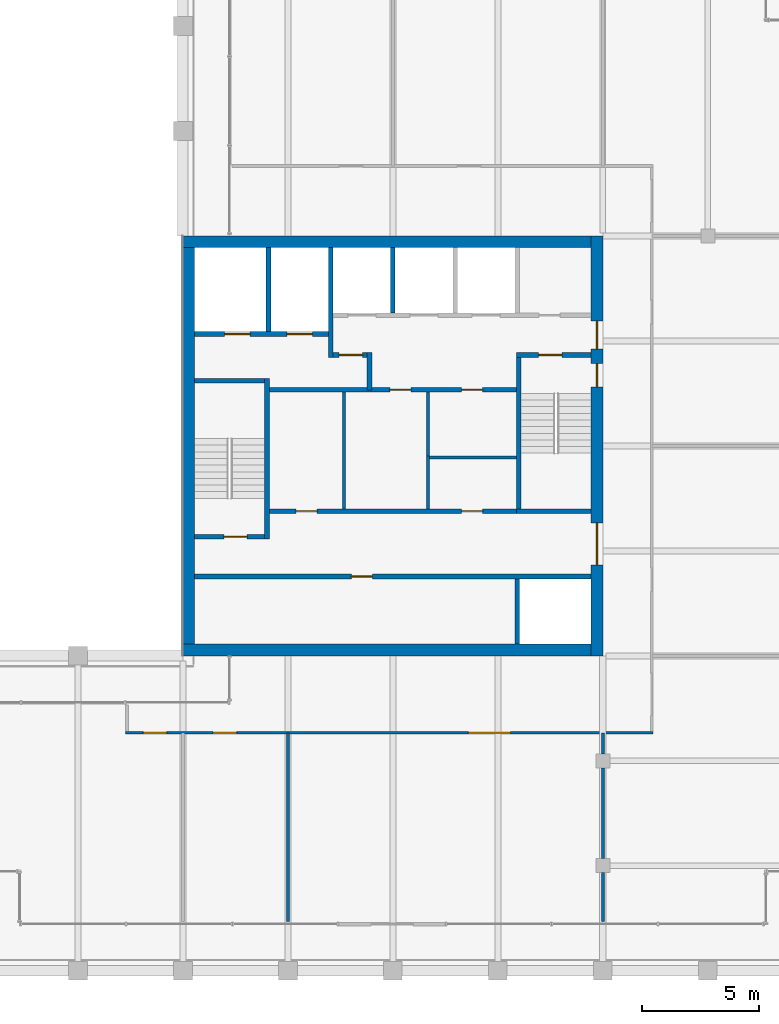
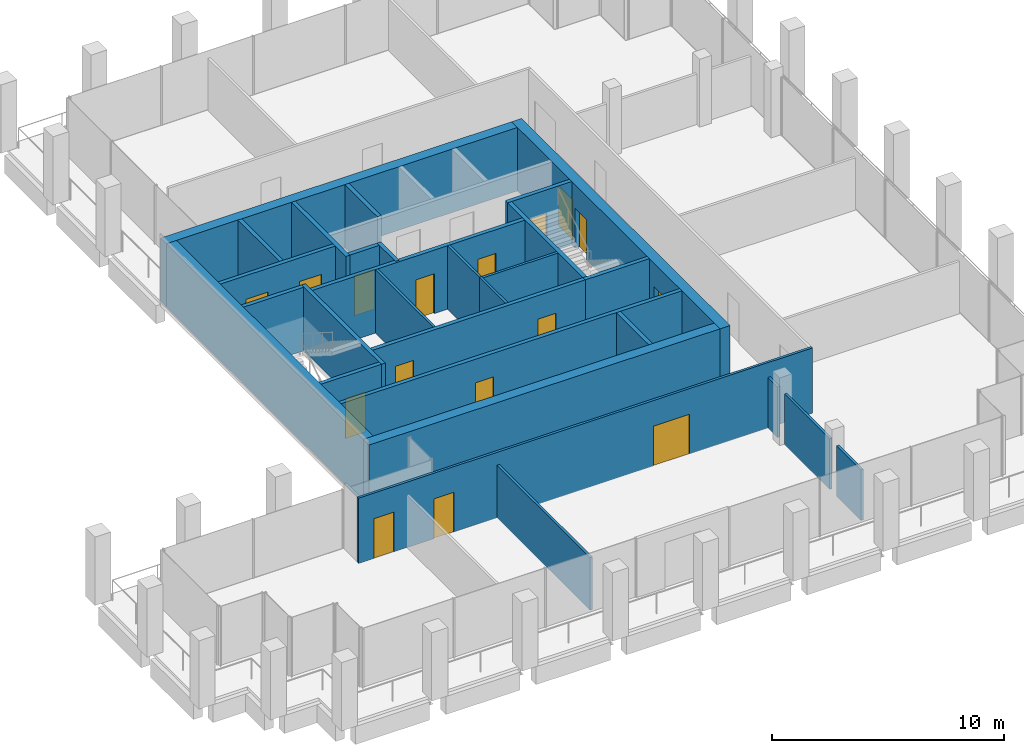
# One storey, part 28 of 30: 29 walls, 16 doors, 16 openings.
"""IFC4 building model written with IfcOpenShell, lengths in metres."""

from ifc_helpers import new_model, si_unit, direction, frame, frame_2d, origin, place, context, subcontext, project, spatial, rectangle, extrude, material, layer, layer_set, type_object, element, fill, save


model = new_model("IFC4")

# Units and contexts
model_context = context("Model", 3, precision=1e-05, world=origin(), true_north=direction((0.0, 1.0)))
body_context = subcontext(model_context, "Body", "Model", "MODEL_VIEW")
ifc_project = project(units=[si_unit("LENGTHUNIT", "METRE"), si_unit("AREAUNIT", "SQUARE_METRE"), si_unit("VOLUMEUNIT", "CUBIC_METRE"), si_unit("PLANEANGLEUNIT", "RADIAN"), si_unit("MASSUNIT", "GRAM", prefix="KILO")], contexts=[model_context])

# Site, building, storey
site_placement = place(None, origin())
site = spatial("IfcSite", under=ifc_project, at=site_placement, CompositionType="ELEMENT")
building_placement = place(site_placement, origin())
building = spatial("IfcBuilding", under=site, at=building_placement, Name="Altepetl Exchange Towers", CompositionType="ELEMENT")
storey_placement = place(building_placement, frame((0.0, 0.0, 231.60009765625)))
storey = spatial("IfcBuildingStorey", under=building, at=storey_placement, Name="L59", CompositionType="ELEMENT", Elevation=231.60009765625)

# Wall, openings, doors
ifc_material_1 = material(Name="Concrete C70/85", Category="concrete")
ifc_layer_1 = layer(ifc_material_1, 0.5)
ifc_layer_set_1 = layer_set([ifc_layer_1], Name="Concrete C70/85")
wall_type_1 = type_object("IfcWallType", Name="Core wall 500 reinforced concrete", PredefinedType="SHEAR", material=ifc_layer_set_1)
wall_1_placement = place(storey_placement, frame((58.25, 40.5, 0.0), z_axis=(0.0, 0.0, 1.0), x_axis=(0.0, 1.0, 0.0)))
wall_1 = element("IfcWall", 1, at=wall_1_placement, inside=storey, type_object=wall_type_1, Name="wall:A:L59:K-coreE", PredefinedType="SHEAR", context=body_context, shape_type="SweptSolid", body=[
    extrude(rectangle(XDim=18.0, YDim=0.5, at=frame_2d((9.0, 0.0))), origin(), (0.0, 0.0, 1.0), 3.349853515625),
])
opening_1_placement = place(wall_1_placement, frame((13.14990234375, 0.0, 0.0)))
opening_1 = element("IfcOpeningElement", 2, at=opening_1_placement, cuts=wall_1, Name="Opening L59.A60", PredefinedType="OPENING", context=body_context, shape_type="SweptSolid", body=[
    extrude(rectangle(XDim=1.199951171875, YDim=2.10009765625, at=frame_2d((0.60009765625, 1.050048828125))), frame((0.0, 0.260009765625, 0.0), z_axis=(0.0, -1.0, 0.0), x_axis=(1.0, 0.0, 0.0)), (0.0, 0.0, 1.0), 0.52001953125),
])
opening_2_placement = place(wall_1_placement, frame((3.89990234375, 0.0, 0.0)))
opening_2 = element("IfcOpeningElement", 3, at=opening_2_placement, cuts=wall_1, Name="Opening L59.A61", PredefinedType="OPENING", context=body_context, shape_type="SweptSolid", body=[
    extrude(rectangle(XDim=1.800048828125, YDim=2.10009765625, at=frame_2d((0.89990234375, 1.050048828125))), frame((0.0, 0.260009765625, 0.0), z_axis=(0.0, -1.0, 0.0), x_axis=(1.0, 0.0, 0.0)), (0.0, 0.0, 1.0), 0.52001953125),
])
opening_3_placement = place(wall_1_placement, frame((11.52490234375, 0.0, 0.0)))
opening_3 = element("IfcOpeningElement", 4, at=opening_3_placement, cuts=wall_1, Name="Opening L59.A64", PredefinedType="OPENING", context=body_context, shape_type="SweptSolid", body=[
    extrude(rectangle(XDim=1.0, YDim=2.10009765625, at=frame_2d((0.5, 1.050048828125))), frame((0.0, 0.260009765625, 0.0), z_axis=(0.0, -1.0, 0.0), x_axis=(1.0, 0.0, 0.0)), (0.0, 0.0, 1.0), 0.52001953125),
])
ifc_material_2 = material(Name="Steel and timber fire door", Category="steel")
door_type_1 = type_object("IfcDoorType", Name="Fire door 1000 x 2100 stair and lobby", OperationType="SINGLE_SWING_LEFT", PredefinedType="DOOR", material=ifc_material_2)
door_1_placement = place(opening_3_placement, origin())
door_1 = element("IfcDoor", 5, at=door_1_placement, inside=storey, type_object=door_type_1, Name="door:A:L59:K-dS2x", OperationType="SINGLE_SWING_RIGHT", OverallHeight=2.10009765625, OverallWidth=1.0, PredefinedType="DOOR", context=body_context, shape_type="SweptSolid", body=[
    extrude(rectangle(XDim=1.0, YDim=2.10009765625, at=frame_2d((0.5, 1.050048828125))), frame((0.0, 0.02490234375, 0.0), z_axis=(0.0, -1.0, 0.0), x_axis=(1.0, 0.0, 0.0)), (0.0, 0.0, 1.0), 0.050048828125),
])
fill(opening_3, door_1)
door_type_2 = type_object("IfcDoorType", Name="Fire door 1200 x 2100 lobby entry", OperationType="SINGLE_SWING_LEFT", PredefinedType="DOOR", material=ifc_material_2)
door_2_placement = place(opening_1_placement, origin())
door_2 = element("IfcDoor", 6, at=door_2_placement, inside=storey, type_object=door_type_2, Name="door:A:L59:K-dLNE", OperationType="SINGLE_SWING_RIGHT", OverallHeight=2.10009765625, OverallWidth=1.199951171875, PredefinedType="DOOR", context=body_context, shape_type="SweptSolid", body=[
    extrude(rectangle(XDim=1.199951171875, YDim=2.10009765625, at=frame_2d((0.60009765625, 1.050048828125))), frame((0.0, 0.02490234375, 0.0), z_axis=(0.0, -1.0, 0.0), x_axis=(1.0, 0.0, 0.0)), (0.0, 0.0, 1.0), 0.050048828125),
])
fill(opening_1, door_2)
door_type_3 = type_object("IfcDoorType", Name="Fire door 1800 x 2100 lobby entry", OperationType="DOUBLE_DOOR_SINGLE_SWING", PredefinedType="DOOR", material=ifc_material_2)
door_3_placement = place(opening_2_placement, origin())
door_3 = element("IfcDoor", 7, at=door_3_placement, inside=storey, type_object=door_type_3, Name="door:A:L59:K-dLSE", OperationType="DOUBLE_DOOR_SINGLE_SWING", OverallHeight=2.10009765625, OverallWidth=1.800048828125, PredefinedType="DOOR", context=body_context, shape_type="SweptSolid", body=[
    extrude(rectangle(XDim=1.800048828125, YDim=2.10009765625, at=frame_2d((0.89990234375, 1.050048828125))), frame((0.0, 0.02490234375, 0.0), z_axis=(0.0, -1.0, 0.0), x_axis=(1.0, 0.0, 0.0)), (0.0, 0.0, 1.0), 0.050048828125),
])
fill(opening_2, door_3)

# Walls
for number, where, name in (
    (8, (40.5, 58.25, 0.0), "wall:A:L59:K-coreN"),
    (9, (40.5, 40.75, 0.0), "wall:A:L59:K-coreS"),
):
    element("IfcWall", number, at=place(storey_placement, frame(where)), inside=storey, type_object=wall_type_1, Name=name, PredefinedType="SHEAR", context=body_context, shape_type="SweptSolid", body=[
        extrude(rectangle(XDim=17.5, YDim=0.5, at=frame_2d((8.75, 0.0))), origin(), (0.0, 0.0, 1.0), 3.349853515625),
    ])
ifc_layer_2 = layer(ifc_material_1, 0.5)
ifc_layer_set_2 = layer_set([ifc_layer_2], Name="Concrete C70/85")
wall_type_2 = type_object("IfcWallType", Name="Core wall 500 reinforced concrete external", PredefinedType="SHEAR", material=ifc_layer_set_2)
wall_2_placement = place(storey_placement, frame((40.75, 41.0, 0.0), z_axis=(0.0, 0.0, 1.0), x_axis=(0.0, 1.0, 0.0)))
element("IfcWall", 10, at=wall_2_placement, inside=storey, type_object=wall_type_2, Name="wall:A:L59:K-coreW", PredefinedType="SHEAR", context=body_context, shape_type="SweptSolid", body=[
    extrude(rectangle(XDim=17.0, YDim=0.5, at=frame_2d((8.5, 0.0))), origin(), (0.0, 0.0, 1.0), 3.349853515625),
])
ifc_material_3 = material(Name="Concrete blockwork", Category="masonry")
ifc_layer_3 = layer(ifc_material_3, 0.199951171875)
ifc_layer_set_3 = layer_set([ifc_layer_3], Name="Concrete blockwork")
wall_type_3 = type_object("IfcWallType", Name="Lobby wall 200 blockwork", PredefinedType="PARTITIONING", material=ifc_layer_set_3)
wall_3_placement = place(storey_placement, frame((48.5, 51.89990234375, 0.0), z_axis=(0.0, 0.0, 1.0), x_axis=(0.0, 1.0, 0.0)))
element("IfcWall", 11, at=wall_3_placement, inside=storey, type_object=wall_type_3, Name="wall:A:L59:K-ffE", PredefinedType="PARTITIONING", context=body_context, shape_type="SweptSolid", body=[
    extrude(rectangle(XDim=1.60009765625, YDim=0.199951171875, at=frame_2d((0.800048828125, 0.0))), origin(), (0.0, 0.0, 1.0), 3.349853515625),
])

# Wall, opening, door
wall_4_placement = place(storey_placement, frame((46.933349609375, 53.39990234375, 0.0)))
wall_4 = element("IfcWall", 12, at=wall_4_placement, inside=storey, type_object=wall_type_3, Name="wall:A:L59:K-ffN", PredefinedType="PARTITIONING", context=body_context, shape_type="SweptSolid", body=[
    extrude(rectangle(XDim=1.466552734375, YDim=0.199951171875, at=frame_2d((0.7333984375, 0.0))), origin(), (0.0, 0.0, 1.0), 3.349853515625),
])
opening_4_placement = place(wall_4_placement, frame((0.2666015625, 0.0, 0.0)))
opening_4 = element("IfcOpeningElement", 13, at=opening_4_placement, cuts=wall_4, Name="Opening L59.A65", PredefinedType="OPENING", context=body_context, shape_type="SweptSolid", body=[
    extrude(rectangle(XDim=1.0, YDim=2.10009765625, at=frame_2d((0.5, 1.050048828125))), frame((0.0, 0.10986328125, 0.0), z_axis=(0.0, -1.0, 0.0), x_axis=(1.0, 0.0, 0.0)), (0.0, 0.0, 1.0), 0.219970703125),
])
door_4_placement = place(opening_4_placement, frame((1.0, 0.0, 0.0), x_axis=(-1.0, 0.0, 0.0)))
door_4 = element("IfcDoor", 14, at=door_4_placement, inside=storey, type_object=door_type_1, Name="door:A:L59:K-dffN", OperationType="SINGLE_SWING_LEFT", OverallHeight=2.10009765625, OverallWidth=1.0, PredefinedType="DOOR", context=body_context, shape_type="SweptSolid", body=[
    extrude(rectangle(XDim=1.0, YDim=2.10009765625, at=frame_2d((0.5, 1.050048828125))), frame((0.0, 0.02490234375, 0.0), z_axis=(0.0, -1.0, 0.0), x_axis=(1.0, 0.0, 0.0)), (0.0, 0.0, 1.0), 0.050048828125),
])
fill(opening_4, door_4)

# Wall, openings, doors
wall_5_placement = place(storey_placement, frame((44.199951171875, 51.89990234375, 0.0)))
wall_5 = element("IfcWall", 15, at=wall_5_placement, inside=storey, type_object=wall_type_3, Name="wall:A:L59:K-zoneN", PredefinedType="PARTITIONING", context=body_context, shape_type="SweptSolid", body=[
    extrude(rectangle(XDim=10.60009765625, YDim=0.199951171875, at=frame_2d((5.300048828125, 0.0))), origin(), (0.0, 0.0, 1.0), 3.349853515625),
])
opening_5_placement = place(wall_5_placement, frame((5.175048828125, 0.0, 0.0)))
opening_5 = element("IfcOpeningElement", 16, at=opening_5_placement, cuts=wall_5, Name="Opening L59.A69", PredefinedType="OPENING", context=body_context, shape_type="SweptSolid", body=[
    extrude(rectangle(XDim=0.89990234375, YDim=2.10009765625, at=frame_2d((0.449951171875, 1.050048828125))), frame((0.0, 0.10986328125, 0.0), z_axis=(0.0, -1.0, 0.0), x_axis=(1.0, 0.0, 0.0)), (0.0, 0.0, 1.0), 0.219970703125),
])
opening_6_placement = place(wall_5_placement, frame((8.25, 0.0, 0.0)))
opening_6 = element("IfcOpeningElement", 17, at=opening_6_placement, cuts=wall_5, Name="Opening L59.A71", PredefinedType="OPENING", context=body_context, shape_type="SweptSolid", body=[
    extrude(rectangle(XDim=0.89990234375, YDim=2.10009765625, at=frame_2d((0.449951171875, 1.050048828125))), frame((0.0, 0.10986328125, 0.0), z_axis=(0.0, -1.0, 0.0), x_axis=(1.0, 0.0, 0.0)), (0.0, 0.0, 1.0), 0.219970703125),
])
door_type_4 = type_object("IfcDoorType", Name="Fire door 900 x 2100 service room", OperationType="SINGLE_SWING_LEFT", PredefinedType="DOOR", material=ifc_material_2)
door_5_placement = place(opening_5_placement, frame((0.89990234375, 0.0, 0.0), x_axis=(-1.0, 0.0, 0.0)))
door_5 = element("IfcDoor", 18, at=door_5_placement, inside=storey, type_object=door_type_4, Name="door:A:L59:K-dz2", OperationType="SINGLE_SWING_LEFT", OverallHeight=2.10009765625, OverallWidth=0.89990234375, PredefinedType="DOOR", context=body_context, shape_type="SweptSolid", body=[
    extrude(rectangle(XDim=0.89990234375, YDim=2.10009765625, at=frame_2d((0.449951171875, 1.050048828125))), frame((0.0, 0.02490234375, 0.0), z_axis=(0.0, -1.0, 0.0), x_axis=(1.0, 0.0, 0.0)), (0.0, 0.0, 1.0), 0.050048828125),
])
fill(opening_5, door_5)
door_6_placement = place(opening_6_placement, frame((0.89990234375, 0.0, 0.0), x_axis=(-1.0, 0.0, 0.0)))
door_6 = element("IfcDoor", 19, at=door_6_placement, inside=storey, type_object=door_type_4, Name="door:A:L59:K-dz4", OperationType="SINGLE_SWING_LEFT", OverallHeight=2.10009765625, OverallWidth=0.89990234375, PredefinedType="DOOR", context=body_context, shape_type="SweptSolid", body=[
    extrude(rectangle(XDim=0.89990234375, YDim=2.10009765625, at=frame_2d((0.449951171875, 1.050048828125))), frame((0.0, 0.02490234375, 0.0), z_axis=(0.0, -1.0, 0.0), x_axis=(1.0, 0.0, 0.0)), (0.0, 0.0, 1.0), 0.050048828125),
])
fill(opening_6, door_6)

wall_6_placement = place(storey_placement, frame((44.199951171875, 46.699951171875, 0.0)))
wall_6 = element("IfcWall", 20, at=wall_6_placement, inside=storey, type_object=wall_type_3, Name="wall:A:L59:K-zoneS", PredefinedType="PARTITIONING", context=body_context, shape_type="SweptSolid", body=[
    extrude(rectangle(XDim=10.60009765625, YDim=0.199951171875, at=frame_2d((5.300048828125, 0.0))), origin(), (0.0, 0.0, 1.0), 3.349853515625),
])
opening_7_placement = place(wall_6_placement, frame((1.14990234375, 0.0, 0.0)))
opening_7 = element("IfcOpeningElement", 21, at=opening_7_placement, cuts=wall_6, Name="Opening L59.A68", PredefinedType="OPENING", context=body_context, shape_type="SweptSolid", body=[
    extrude(rectangle(XDim=0.89990234375, YDim=2.10009765625, at=frame_2d((0.449951171875, 1.050048828125))), frame((0.0, 0.10986328125, 0.0), z_axis=(0.0, -1.0, 0.0), x_axis=(1.0, 0.0, 0.0)), (0.0, 0.0, 1.0), 0.219970703125),
])
opening_8_placement = place(wall_6_placement, frame((8.25, 0.0, 0.0)))
opening_8 = element("IfcOpeningElement", 22, at=opening_8_placement, cuts=wall_6, Name="Opening L59.A70", PredefinedType="OPENING", context=body_context, shape_type="SweptSolid", body=[
    extrude(rectangle(XDim=0.89990234375, YDim=2.10009765625, at=frame_2d((0.449951171875, 1.050048828125))), frame((0.0, 0.10986328125, 0.0), z_axis=(0.0, -1.0, 0.0), x_axis=(1.0, 0.0, 0.0)), (0.0, 0.0, 1.0), 0.219970703125),
])
door_7_placement = place(opening_7_placement, origin())
door_7 = element("IfcDoor", 23, at=door_7_placement, inside=storey, type_object=door_type_4, Name="door:A:L59:K-dz1", OperationType="SINGLE_SWING_RIGHT", OverallHeight=2.10009765625, OverallWidth=0.89990234375, PredefinedType="DOOR", context=body_context, shape_type="SweptSolid", body=[
    extrude(rectangle(XDim=0.89990234375, YDim=2.10009765625, at=frame_2d((0.449951171875, 1.050048828125))), frame((0.0, 0.02490234375, 0.0), z_axis=(0.0, -1.0, 0.0), x_axis=(1.0, 0.0, 0.0)), (0.0, 0.0, 1.0), 0.050048828125),
])
fill(opening_7, door_7)
door_8_placement = place(opening_8_placement, origin())
door_8 = element("IfcDoor", 24, at=door_8_placement, inside=storey, type_object=door_type_4, Name="door:A:L59:K-dz3", OperationType="SINGLE_SWING_RIGHT", OverallHeight=2.10009765625, OverallWidth=0.89990234375, PredefinedType="DOOR", context=body_context, shape_type="SweptSolid", body=[
    extrude(rectangle(XDim=0.89990234375, YDim=2.10009765625, at=frame_2d((0.449951171875, 1.050048828125))), frame((0.0, 0.02490234375, 0.0), z_axis=(0.0, -1.0, 0.0), x_axis=(1.0, 0.0, 0.0)), (0.0, 0.0, 1.0), 0.050048828125),
])
fill(opening_8, door_8)

# Walls
ifc_material_4 = material(Name="Gypsum board on steel studs", Category="steel")
ifc_layer_4 = layer(ifc_material_4, 0.125)
ifc_layer_set_4 = layer_set([ifc_layer_4], Name="Gypsum board on steel studs")
wall_type_4 = type_object("IfcWallType", Name="Partition 125 gypsum board on steel studs", PredefinedType="PARTITIONING", material=ifc_layer_set_4)
wall_7_placement = place(storey_placement, frame((47.39990234375, 46.800048828125, 0.0), z_axis=(0.0, 0.0, 1.0), x_axis=(0.0, 1.0, 0.0)))
element("IfcWall", 25, at=wall_7_placement, inside=storey, type_object=wall_type_4, Name="wall:A:L59:K-zp1", PredefinedType="PARTITIONING", context=body_context, shape_type="SweptSolid", body=[
    extrude(rectangle(XDim=5.0, YDim=0.125, at=frame_2d((2.5, 0.0))), origin(), (0.0, 0.0, 1.0), 3.349853515625),
])
wall_8_placement = place(storey_placement, frame((51.0, 46.800048828125, 0.0), z_axis=(0.0, 0.0, 1.0), x_axis=(0.0, 1.0, 0.0)))
element("IfcWall", 26, at=wall_8_placement, inside=storey, type_object=wall_type_4, Name="wall:A:L59:K-zp2", PredefinedType="PARTITIONING", context=body_context, shape_type="SweptSolid", body=[
    extrude(rectangle(XDim=2.262451171875, YDim=0.125, at=frame_2d((1.13134765625, 0.0))), origin(), (0.0, 0.0, 1.0), 3.349853515625),
])
wall_9_placement = place(storey_placement, frame((54.800048828125, 49.0, 0.0), z_axis=(0.0, 0.0, 1.0), x_axis=(-1.0, 0.0, 0.0)))
element("IfcWall", 27, at=wall_9_placement, inside=storey, type_object=wall_type_4, Name="wall:A:L59:K-zp3", PredefinedType="PARTITIONING", context=body_context, shape_type="SweptSolid", body=[
    extrude(rectangle(XDim=3.737548828125, YDim=0.125, at=frame_2d((1.86865234375, 0.0))), origin(), (0.0, 0.0, 1.0), 3.349853515625),
])
wall_10_placement = place(storey_placement, frame((51.0, 49.0, 0.0), z_axis=(0.0, 0.0, 1.0), x_axis=(0.0, 1.0, 0.0)))
element("IfcWall", 28, at=wall_10_placement, inside=storey, type_object=wall_type_4, Name="wall:A:L59:K-zp4", PredefinedType="PARTITIONING", context=body_context, shape_type="SweptSolid", body=[
    extrude(rectangle(XDim=2.800048828125, YDim=0.125, at=frame_2d((1.39990234375, 0.0))), origin(), (0.0, 0.0, 1.0), 3.349853515625),
])

# Wall, openings, doors
wall_11_placement = place(storey_placement, frame((38.03759765625, 37.199951171875, 0.0)))
wall_11 = element("IfcWall", 29, at=wall_11_placement, inside=storey, type_object=wall_type_4, Name="wall:A:L59:P01", PredefinedType="PARTITIONING", context=body_context, shape_type="SweptSolid", body=[
    extrude(rectangle(XDim=22.625, YDim=0.125, at=frame_2d((11.3125, 0.0))), origin(), (0.0, 0.0, 1.0), 3.449951171875),
])
opening_9_placement = place(wall_11_placement, frame((0.762451171875, 0.0, 0.0)))
opening_9 = element("IfcOpeningElement", 30, at=opening_9_placement, cuts=wall_11, Name="Opening L59.A01", PredefinedType="OPENING", context=body_context, shape_type="SweptSolid", body=[
    extrude(rectangle(XDim=1.0, YDim=2.10009765625, at=frame_2d((0.5, 1.050048828125))), frame((0.0, 0.072509765625, 0.0), z_axis=(0.0, -1.0, 0.0), x_axis=(1.0, 0.0, 0.0)), (0.0, 0.0, 1.0), 0.14501953125),
])
opening_10_placement = place(wall_11_placement, frame((3.757568359375, 0.0, 0.0)))
opening_10 = element("IfcOpeningElement", 31, at=opening_10_placement, cuts=wall_11, Name="Opening L59.A02", PredefinedType="OPENING", context=body_context, shape_type="SweptSolid", body=[
    extrude(rectangle(XDim=1.0, YDim=2.10009765625, at=frame_2d((0.5, 1.050048828125))), frame((0.0, 0.072509765625, 0.0), z_axis=(0.0, -1.0, 0.0), x_axis=(1.0, 0.0, 0.0)), (0.0, 0.0, 1.0), 0.14501953125),
])
opening_11_placement = place(wall_11_placement, frame((14.702392578125, 0.0, 0.0)))
opening_11 = element("IfcOpeningElement", 32, at=opening_11_placement, cuts=wall_11, Name="Opening L59.A03", PredefinedType="OPENING", context=body_context, shape_type="SweptSolid", body=[
    extrude(rectangle(XDim=1.800048828125, YDim=2.10009765625, at=frame_2d((0.89990234375, 1.050048828125))), frame((0.0, 0.072509765625, 0.0), z_axis=(0.0, -1.0, 0.0), x_axis=(1.0, 0.0, 0.0)), (0.0, 0.0, 1.0), 0.14501953125),
])
door_type_5 = type_object("IfcDoorType", Name="Fire door 1000 x 2100 single leaf", OperationType="SINGLE_SWING_LEFT", PredefinedType="DOOR", material=ifc_material_2)
door_9_placement = place(opening_9_placement, frame((1.0, 0.0, 0.0), x_axis=(-1.0, 0.0, 0.0)))
door_9 = element("IfcDoor", 33, at=door_9_placement, inside=storey, type_object=door_type_5, Name="door:A:L59:01", OperationType="SINGLE_SWING_RIGHT", OverallHeight=2.10009765625, OverallWidth=1.0, PredefinedType="DOOR", context=body_context, shape_type="SweptSolid", body=[
    extrude(rectangle(XDim=1.0, YDim=2.10009765625, at=frame_2d((0.5, 1.050048828125))), frame((0.0, 0.02490234375, 0.0), z_axis=(0.0, -1.0, 0.0), x_axis=(1.0, 0.0, 0.0)), (0.0, 0.0, 1.0), 0.050048828125),
])
fill(opening_9, door_9)
door_10_placement = place(opening_10_placement, frame((1.0, 0.0, 0.0), x_axis=(-1.0, 0.0, 0.0)))
door_10 = element("IfcDoor", 34, at=door_10_placement, inside=storey, type_object=door_type_5, Name="door:A:L59:02", OperationType="SINGLE_SWING_RIGHT", OverallHeight=2.10009765625, OverallWidth=1.0, PredefinedType="DOOR", context=body_context, shape_type="SweptSolid", body=[
    extrude(rectangle(XDim=1.0, YDim=2.10009765625, at=frame_2d((0.5, 1.050048828125))), frame((0.0, 0.02490234375, 0.0), z_axis=(0.0, -1.0, 0.0), x_axis=(1.0, 0.0, 0.0)), (0.0, 0.0, 1.0), 0.050048828125),
])
fill(opening_10, door_10)
door_type_6 = type_object("IfcDoorType", Name="Fire door 1800 x 2100 double leaf", OperationType="DOUBLE_DOOR_SINGLE_SWING", PredefinedType="DOOR", material=ifc_material_2)
door_11_placement = place(opening_11_placement, frame((1.800048828125, 0.0, 0.0), x_axis=(-1.0, 0.0, 0.0)))
door_11 = element("IfcDoor", 35, at=door_11_placement, inside=storey, type_object=door_type_6, Name="door:A:L59:03", OperationType="DOUBLE_DOOR_SINGLE_SWING", OverallHeight=2.10009765625, OverallWidth=1.800048828125, PredefinedType="DOOR", context=body_context, shape_type="SweptSolid", body=[
    extrude(rectangle(XDim=1.800048828125, YDim=2.10009765625, at=frame_2d((0.89990234375, 1.050048828125))), frame((0.0, 0.02490234375, 0.0), z_axis=(0.0, -1.0, 0.0), x_axis=(1.0, 0.0, 0.0)), (0.0, 0.0, 1.0), 0.050048828125),
])
fill(opening_11, door_11)

# Walls
wall_12_placement = place(storey_placement, frame((45.0, 29.10009765625, 0.0), z_axis=(0.0, 0.0, 1.0), x_axis=(0.0, 1.0, 0.0)))
element("IfcWall", 36, at=wall_12_placement, inside=storey, type_object=wall_type_4, Name="wall:A:L59:P10", PredefinedType="PARTITIONING", context=body_context, shape_type="SweptSolid", body=[
    extrude(rectangle(XDim=8.099853515625, YDim=0.125, at=frame_2d((4.0498046875, 0.0))), origin(), (0.0, 0.0, 1.0), 2.77197265625),
])
wall_13_placement = place(storey_placement, frame((58.5, 29.10009765625, 0.0), z_axis=(0.0, 0.0, 1.0), x_axis=(0.0, 1.0, 0.0)))
element("IfcWall", 37, at=wall_13_placement, inside=storey, type_object=wall_type_4, Name="wall:A:L59:P12", PredefinedType="PARTITIONING", context=body_context, shape_type="SweptSolid", body=[
    extrude(rectangle(XDim=2.099853515625, YDim=0.125, at=frame_2d((1.0498046875, 0.0))), origin(), (0.0, 0.0, 1.0), 2.67578125),
])
wall_14_placement = place(storey_placement, frame((58.5, 31.800048828125, 0.0), z_axis=(0.0, 0.0, 1.0), x_axis=(0.0, 1.0, 0.0)))
element("IfcWall", 38, at=wall_14_placement, inside=storey, type_object=wall_type_4, Name="wall:A:L59:P13", PredefinedType="PARTITIONING", context=body_context, shape_type="SweptSolid", body=[
    extrude(rectangle(XDim=3.89990234375, YDim=0.125, at=frame_2d((1.949951171875, 0.0))), origin(), (0.0, 0.0, 1.0), 2.67578125),
])
wall_15_placement = place(storey_placement, frame((58.5, 36.300048828125, 0.0), z_axis=(0.0, 0.0, 1.0), x_axis=(0.0, 1.0, 0.0)))
element("IfcWall", 39, at=wall_15_placement, inside=storey, type_object=wall_type_4, Name="wall:A:L59:P14", PredefinedType="PARTITIONING", context=body_context, shape_type="SweptSolid", body=[
    extrude(rectangle(XDim=0.89990234375, YDim=0.125, at=frame_2d((0.449951171875, 0.0))), origin(), (0.0, 0.0, 1.0), 2.67578125),
])
ifc_material_5 = material(Name="Concrete C40/50", Category="concrete")
ifc_layer_5 = layer(ifc_material_5, 0.199951171875)
ifc_layer_set_5 = layer_set([ifc_layer_5], Name="Concrete C40/50")
wall_type_5 = type_object("IfcWallType", Name="Shaft wall 200 reinforced concrete", PredefinedType="SHEAR", material=ifc_layer_set_5)
wall_16_placement = place(storey_placement, frame((44.166748046875, 58.0, 0.0), z_axis=(0.0, 0.0, 1.0), x_axis=(0.0, -1.0, 0.0)))
element("IfcWall", 40, at=wall_16_placement, inside=storey, type_object=wall_type_5, Name="wall:A:L59:K-divN1", PredefinedType="SHEAR", context=body_context, shape_type="SweptSolid", body=[
    extrude(rectangle(XDim=3.60009765625, YDim=0.199951171875, at=frame_2d((1.800048828125, 0.0))), origin(), (0.0, 0.0, 1.0), 3.349853515625),
])
wall_17_placement = place(storey_placement, frame((46.833251953125, 58.0, 0.0), z_axis=(0.0, 0.0, 1.0), x_axis=(0.0, -1.0, 0.0)))
element("IfcWall", 41, at=wall_17_placement, inside=storey, type_object=wall_type_5, Name="wall:A:L59:K-divN2", PredefinedType="SHEAR", context=body_context, shape_type="SweptSolid", body=[
    extrude(rectangle(XDim=4.699951171875, YDim=0.199951171875, at=frame_2d((2.35009765625, 0.0))), origin(), (0.0, 0.0, 1.0), 3.349853515625),
])
for number, where, z_axis, x_axis, name in (
    (42, (49.5, 58.0, 0.0), (0.0, 0.0, 1.0), (0.0, -1.0, 0.0), "wall:A:L59:K-divN3"),
    (43, (54.833251953125, 41.0, 0.0), (0.0, 0.0, 1.0), (0.0, 1.0, 0.0), "wall:A:L59:K-divS5"),
):
    element("IfcWall", number, at=place(storey_placement, frame(where, z_axis=z_axis, x_axis=x_axis)), inside=storey, type_object=wall_type_5, Name=name, PredefinedType="SHEAR", context=body_context, shape_type="SweptSolid", body=[
        extrude(rectangle(XDim=2.800048828125, YDim=0.199951171875, at=frame_2d((1.39990234375, 0.0))), origin(), (0.0, 0.0, 1.0), 3.349853515625),
    ])

# Wall, openings, doors
wall_18_placement = place(storey_placement, frame((41.0, 54.300048828125, 0.0)))
wall_18 = element("IfcWall", 44, at=wall_18_placement, inside=storey, type_object=wall_type_5, Name="wall:A:L59:K-frontNd", PredefinedType="SHEAR", context=body_context, shape_type="SweptSolid", body=[
    extrude(rectangle(XDim=5.7333984375, YDim=0.199951171875, at=frame_2d((2.86669921875, 0.0))), origin(), (0.0, 0.0, 1.0), 3.349853515625),
])
opening_12_placement = place(wall_18_placement, frame((1.283203125, 0.0, 0.0)))
opening_12 = element("IfcOpeningElement", 45, at=opening_12_placement, cuts=wall_18, Name="Opening L59.A72", PredefinedType="OPENING", context=body_context, shape_type="SweptSolid", body=[
    extrude(rectangle(XDim=1.10009765625, YDim=2.10009765625, at=frame_2d((0.550048828125, 1.050048828125))), frame((0.0, 0.10986328125, 0.0), z_axis=(0.0, -1.0, 0.0), x_axis=(1.0, 0.0, 0.0)), (0.0, 0.0, 1.0), 0.219970703125),
])
opening_13_placement = place(wall_18_placement, frame((3.949951171875, 0.0, 0.0)))
opening_13 = element("IfcOpeningElement", 46, at=opening_13_placement, cuts=wall_18, Name="Opening L59.A73", PredefinedType="OPENING", context=body_context, shape_type="SweptSolid", body=[
    extrude(rectangle(XDim=1.10009765625, YDim=2.10009765625, at=frame_2d((0.550048828125, 1.050048828125))), frame((0.0, 0.10986328125, 0.0), z_axis=(0.0, -1.0, 0.0), x_axis=(1.0, 0.0, 0.0)), (0.0, 0.0, 1.0), 0.219970703125),
])
ifc_material_6 = material(Name="Stainless steel", Category="steel")
door_type_7 = type_object("IfcDoorType", Name="Lift landing door 1100 x 2100", OperationType="SLIDING_TO_LEFT", PredefinedType="DOOR", material=ifc_material_6)
door_12_placement = place(opening_12_placement, origin())
door_12 = element("IfcDoor", 47, at=door_12_placement, inside=storey, type_object=door_type_7, Name="Landing door FFL1", OperationType="SLIDING_TO_LEFT", OverallHeight=2.10009765625, OverallWidth=1.10009765625, PredefinedType="DOOR", context=body_context, shape_type="SweptSolid", body=[
    extrude(rectangle(XDim=1.10009765625, YDim=2.10009765625, at=frame_2d((0.550048828125, 1.050048828125))), frame((0.0, 0.02490234375, 0.0), z_axis=(0.0, -1.0, 0.0), x_axis=(1.0, 0.0, 0.0)), (0.0, 0.0, 1.0), 0.050048828125),
])
fill(opening_12, door_12)
door_13_placement = place(opening_13_placement, origin())
door_13 = element("IfcDoor", 48, at=door_13_placement, inside=storey, type_object=door_type_7, Name="Landing door FFL2", OperationType="SLIDING_TO_LEFT", OverallHeight=2.10009765625, OverallWidth=1.10009765625, PredefinedType="DOOR", context=body_context, shape_type="SweptSolid", body=[
    extrude(rectangle(XDim=1.10009765625, YDim=2.10009765625, at=frame_2d((0.550048828125, 1.050048828125))), frame((0.0, 0.02490234375, 0.0), z_axis=(0.0, -1.0, 0.0), x_axis=(1.0, 0.0, 0.0)), (0.0, 0.0, 1.0), 0.050048828125),
])
fill(opening_13, door_13)

# Wall, opening, door
wall_19_placement = place(storey_placement, frame((41.0, 43.89990234375, 0.0)))
wall_19 = element("IfcWall", 49, at=wall_19_placement, inside=storey, type_object=wall_type_5, Name="wall:A:L59:K-frontS", PredefinedType="SHEAR", context=body_context, shape_type="SweptSolid", body=[
    extrude(rectangle(XDim=17.0, YDim=0.199951171875, at=frame_2d((8.5, 0.0))), origin(), (0.0, 0.0, 1.0), 3.349853515625),
])
opening_14_placement = place(wall_19_placement, frame((6.716796875, 0.0, 0.0)))
opening_14 = element("IfcOpeningElement", 50, at=opening_14_placement, cuts=wall_19, Name="Opening L59.A67", PredefinedType="OPENING", context=body_context, shape_type="SweptSolid", body=[
    extrude(rectangle(XDim=0.89990234375, YDim=2.10009765625, at=frame_2d((0.449951171875, 1.050048828125))), frame((0.0, 0.10986328125, 0.0), z_axis=(0.0, -1.0, 0.0), x_axis=(1.0, 0.0, 0.0)), (0.0, 0.0, 1.0), 0.219970703125),
])
door_14_placement = place(opening_14_placement, frame((0.89990234375, 0.0, 0.0), x_axis=(-1.0, 0.0, 0.0)))
door_14 = element("IfcDoor", 51, at=door_14_placement, inside=storey, type_object=door_type_4, Name="door:A:L59:K-dslotS0", OperationType="SINGLE_SWING_LEFT", OverallHeight=2.10009765625, OverallWidth=0.89990234375, PredefinedType="DOOR", context=body_context, shape_type="SweptSolid", body=[
    extrude(rectangle(XDim=0.89990234375, YDim=2.10009765625, at=frame_2d((0.449951171875, 1.050048828125))), frame((0.0, 0.02490234375, 0.0), z_axis=(0.0, -1.0, 0.0), x_axis=(1.0, 0.0, 0.0)), (0.0, 0.0, 1.0), 0.050048828125),
])
fill(opening_14, door_14)

# Walls
ifc_layer_6 = layer(ifc_material_5, 0.199951171875)
ifc_layer_set_6 = layer_set([ifc_layer_6], Name="Concrete C40/50")
wall_type_6 = type_object("IfcWallType", Name="Stair wall 200 reinforced concrete", PredefinedType="SHEAR", material=ifc_layer_set_6)
wall_20_placement = place(storey_placement, frame((44.10009765625, 45.5, 0.0), z_axis=(0.0, 0.0, 1.0), x_axis=(0.0, 1.0, 0.0)))
element("IfcWall", 52, at=wall_20_placement, inside=storey, type_object=wall_type_6, Name="wall:A:L59:K-stS1E", PredefinedType="SHEAR", context=body_context, shape_type="SweptSolid", body=[
    extrude(rectangle(XDim=6.89990234375, YDim=0.199951171875, at=frame_2d((3.449951171875, 0.0))), origin(), (0.0, 0.0, 1.0), 3.349853515625),
])
wall_21_placement = place(storey_placement, frame((41.0, 52.300048828125, 0.0)))
element("IfcWall", 53, at=wall_21_placement, inside=storey, type_object=wall_type_6, Name="wall:A:L59:K-stS1N", PredefinedType="SHEAR", context=body_context, shape_type="SweptSolid", body=[
    extrude(rectangle(XDim=3.0, YDim=0.199951171875, at=frame_2d((1.5, 0.0))), origin(), (0.0, 0.0, 1.0), 3.349853515625),
])

# Wall, opening, door
wall_22_placement = place(storey_placement, frame((41.0, 45.60009765625, 0.0)))
wall_22 = element("IfcWall", 54, at=wall_22_placement, inside=storey, type_object=wall_type_6, Name="wall:A:L59:K-stS1S", PredefinedType="SHEAR", context=body_context, shape_type="SweptSolid", body=[
    extrude(rectangle(XDim=3.0, YDim=0.199951171875, at=frame_2d((1.5, 0.0))), origin(), (0.0, 0.0, 1.0), 3.349853515625),
])
opening_15_placement = place(wall_22_placement, frame((1.25, 0.0, 0.0)))
opening_15 = element("IfcOpeningElement", 55, at=opening_15_placement, cuts=wall_22, Name="Opening L59.A62", PredefinedType="OPENING", context=body_context, shape_type="SweptSolid", body=[
    extrude(rectangle(XDim=1.0, YDim=2.10009765625, at=frame_2d((0.5, 1.050048828125))), frame((0.0, 0.10986328125, 0.0), z_axis=(0.0, -1.0, 0.0), x_axis=(1.0, 0.0, 0.0)), (0.0, 0.0, 1.0), 0.219970703125),
])
door_15_placement = place(opening_15_placement, origin())
door_15 = element("IfcDoor", 56, at=door_15_placement, inside=storey, type_object=door_type_1, Name="door:A:L59:K-dS1in", OperationType="SINGLE_SWING_RIGHT", OverallHeight=2.10009765625, OverallWidth=1.0, PredefinedType="DOOR", context=body_context, shape_type="SweptSolid", body=[
    extrude(rectangle(XDim=1.0, YDim=2.10009765625, at=frame_2d((0.5, 1.050048828125))), frame((0.0, 0.02490234375, 0.0), z_axis=(0.0, -1.0, 0.0), x_axis=(1.0, 0.0, 0.0)), (0.0, 0.0, 1.0), 0.050048828125),
])
fill(opening_15, door_15)

wall_23_placement = place(storey_placement, frame((54.800048828125, 53.39990234375, 0.0)))
wall_23 = element("IfcWall", 57, at=wall_23_placement, inside=storey, type_object=wall_type_6, Name="wall:A:L59:K-stS2N", PredefinedType="SHEAR", context=body_context, shape_type="SweptSolid", body=[
    extrude(rectangle(XDim=3.199951171875, YDim=0.199951171875, at=frame_2d((1.60009765625, 0.0))), origin(), (0.0, 0.0, 1.0), 3.349853515625),
])
opening_16_placement = place(wall_23_placement, frame((0.949951171875, 0.0, 0.0)))
opening_16 = element("IfcOpeningElement", 58, at=opening_16_placement, cuts=wall_23, Name="Opening L59.A63", PredefinedType="OPENING", context=body_context, shape_type="SweptSolid", body=[
    extrude(rectangle(XDim=1.0, YDim=2.10009765625, at=frame_2d((0.5, 1.050048828125))), frame((0.0, 0.10986328125, 0.0), z_axis=(0.0, -1.0, 0.0), x_axis=(1.0, 0.0, 0.0)), (0.0, 0.0, 1.0), 0.219970703125),
])
door_16_placement = place(opening_16_placement, frame((1.0, 0.0, 0.0), x_axis=(-1.0, 0.0, 0.0)))
door_16 = element("IfcDoor", 59, at=door_16_placement, inside=storey, type_object=door_type_1, Name="door:A:L59:K-dS2in", OperationType="SINGLE_SWING_LEFT", OverallHeight=2.10009765625, OverallWidth=1.0, PredefinedType="DOOR", context=body_context, shape_type="SweptSolid", body=[
    extrude(rectangle(XDim=1.0, YDim=2.10009765625, at=frame_2d((0.5, 1.050048828125))), frame((0.0, 0.02490234375, 0.0), z_axis=(0.0, -1.0, 0.0), x_axis=(1.0, 0.0, 0.0)), (0.0, 0.0, 1.0), 0.050048828125),
])
fill(opening_16, door_16)

# Walls
wall_24_placement = place(storey_placement, frame((54.800048828125, 46.699951171875, 0.0)))
element("IfcWall", 60, at=wall_24_placement, inside=storey, type_object=wall_type_6, Name="wall:A:L59:K-stS2S", PredefinedType="SHEAR", context=body_context, shape_type="SweptSolid", body=[
    extrude(rectangle(XDim=3.199951171875, YDim=0.199951171875, at=frame_2d((1.60009765625, 0.0))), origin(), (0.0, 0.0, 1.0), 3.349853515625),
])
wall_25_placement = place(storey_placement, frame((54.89990234375, 46.800048828125, 0.0), z_axis=(0.0, 0.0, 1.0), x_axis=(0.0, 1.0, 0.0)))
element("IfcWall", 61, at=wall_25_placement, inside=storey, type_object=wall_type_6, Name="wall:A:L59:K-stS2W", PredefinedType="SHEAR", context=body_context, shape_type="SweptSolid", body=[
    extrude(rectangle(XDim=6.5, YDim=0.199951171875, at=frame_2d((3.25, 0.0))), origin(), (0.0, 0.0, 1.0), 3.349853515625),
])

save(model, "model.ifc")
